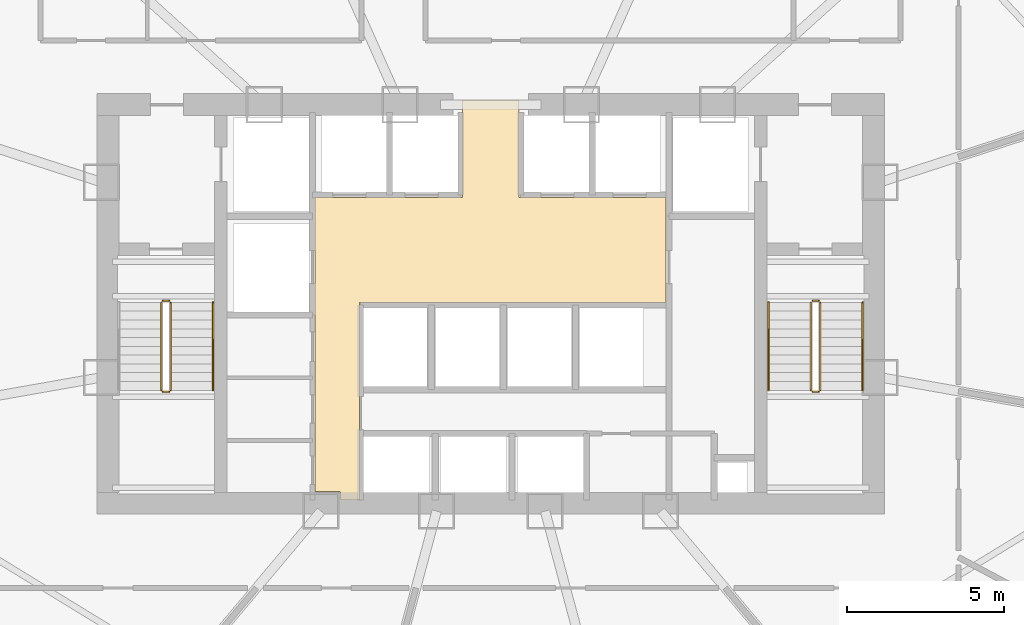
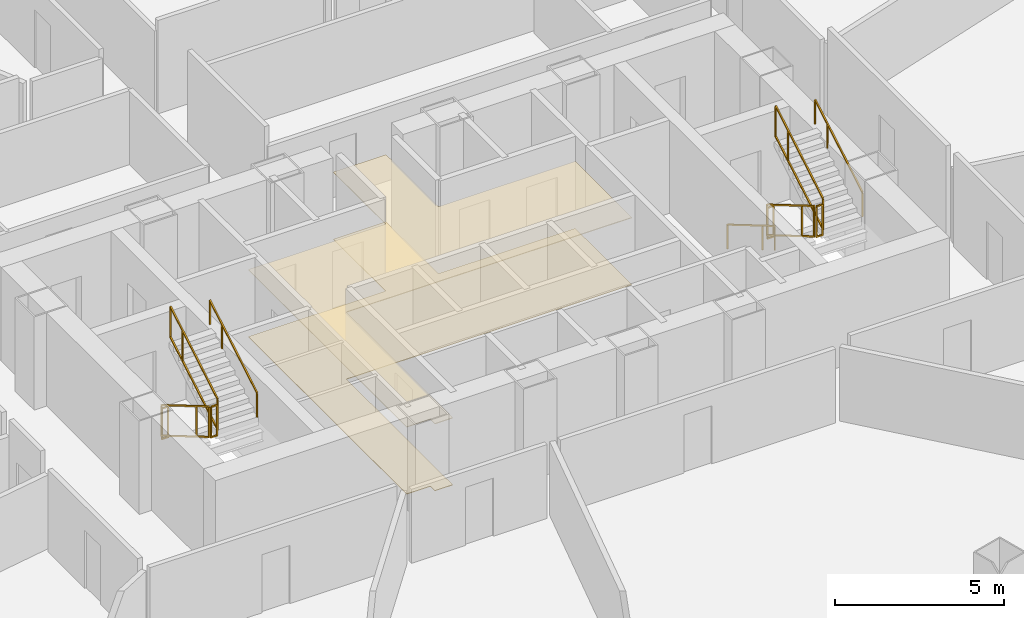
# One storey, part 35 of 37: 11 railings, 2 coverings.
"""IFC4 building model written with IfcOpenShell, lengths in metres."""

from ifc_helpers import new_model, si_unit, direction, frame, origin, origin_2d, place, context, subcontext, project, spatial, polyline, rectangle, outline, extrude, material, layer, layer_set, type_object, element, save


model = new_model("IFC4")

# Units and contexts
model_context = context("Model", 3, precision=1e-05, world=origin(), true_north=direction((0.0, 1.0)))
body_context = subcontext(model_context, "Body", "Model", "MODEL_VIEW")
ifc_project = project(units=[si_unit("LENGTHUNIT", "METRE"), si_unit("AREAUNIT", "SQUARE_METRE"), si_unit("VOLUMEUNIT", "CUBIC_METRE"), si_unit("PLANEANGLEUNIT", "RADIAN"), si_unit("MASSUNIT", "GRAM", prefix="KILO"), si_unit("THERMODYNAMICTEMPERATUREUNIT", "KELVIN"), si_unit("POWERUNIT", "WATT")], contexts=[model_context])

# Site, building, storey
site_placement = place(None, origin())
site = spatial("IfcSite", under=ifc_project, at=site_placement, CompositionType="ELEMENT")
building_placement = place(site_placement, origin())
building = spatial("IfcBuilding", under=site, at=building_placement, Name="Yunzhuo Pagoda Commons", CompositionType="ELEMENT")
storey_placement = place(building_placement, frame((0.0, 0.0, 59.43994140625)))
storey = spatial("IfcBuildingStorey", under=building, at=storey_placement, Name="L15", CompositionType="ELEMENT", Elevation=59.43994140625)

# Coverings
ifc_material_1 = material(Name="Mineral fibre acoustic ceiling board")
ifc_layer_1 = layer(ifc_material_1, 0.02490234375)
ifc_layer_set_1 = layer_set([ifc_layer_1], Name="Mineral fibre acoustic ceiling board")
covering_type_1 = type_object("IfcCoveringType", Name="COV-CL1 Ceiling 25", PredefinedType="CEILING", material=ifc_layer_set_1)
covering_1_placement = place(storey_placement, frame((0.0, 0.0, 2.420166015625)))
element("IfcCovering", 1, at=covering_1_placement, inside=storey, type_object=covering_type_1, Name="L15 lift lobby acoustic ceiling", PredefinedType="CEILING", context=body_context, shape_type="SweptSolid", body=[
    extrude(outline(polyline([(43.207763671875, 27.85009765625), (43.201904296875, 27.864013671875), (43.187744140625, 27.8701171875), (42.39990234375, 27.8701171875), (42.39990234375, 33.89990234375), (42.39990234375, 37.25), (47.10009765625, 37.25), (47.10009765625, 40.35009765625), (48.89990234375, 40.35009765625), (48.89990234375, 37.25), (53.580078125, 37.25), (53.580078125, 33.89990234375), (43.820068359375, 33.89990234375), (43.820068359375, 27.60009765625), (43.207763671875, 27.60009765625), (43.207763671875, 27.85009765625)])), origin(), (0.0, 0.0, 1.0), 0.02490234375),
])
ifc_material_2 = material(Name="Porcelain ceramic floor tile")
ifc_layer_2 = layer(ifc_material_2, 0.02001953125)
ifc_layer_set_2 = layer_set([ifc_layer_2], Name="Porcelain ceramic floor tile")
covering_type_2 = type_object("IfcCoveringType", Name="COV-FL1 Flooring 20", PredefinedType="FLOORING", material=ifc_layer_set_2)
covering_2_placement = place(storey_placement, origin())
element("IfcCovering", 2, at=covering_2_placement, inside=storey, type_object=covering_type_2, Name="L15 lift lobby flooring", PredefinedType="FLOORING", context=body_context, shape_type="SweptSolid", body=[
    extrude(outline(polyline([(43.207763671875, 27.85009765625), (43.201904296875, 27.864013671875), (43.187744140625, 27.8701171875), (42.39990234375, 27.8701171875), (42.39990234375, 33.89990234375), (42.39990234375, 37.25), (47.10009765625, 37.25), (47.10009765625, 40.35009765625), (48.89990234375, 40.35009765625), (48.89990234375, 37.25), (53.580078125, 37.25), (53.580078125, 33.89990234375), (43.820068359375, 33.89990234375), (43.820068359375, 27.60009765625), (43.207763671875, 27.60009765625), (43.207763671875, 27.85009765625)])), origin(), (0.0, 0.0, 1.0), 0.02001953125),
])

# Railings
ifc_material_3 = material(Name="Anodized aluminium 6063-T6", Category="aluminium")
railing_type_1 = type_object("IfcRailingType", Name="GR-ST1 Stair Well Guardrail 1150", PredefinedType="GUARDRAIL", material=ifc_material_3)
railing_1_placement = place(storey_placement, frame((37.5, 33.89990234375, 0.1650390625)))
element("IfcRailing", 3, at=railing_1_placement, inside=storey, type_object=railing_type_1, Name="L15 ST1 stair guard 1", PredefinedType="GUARDRAIL", context=body_context, shape_type="SweptSolid", body=[
    extrude(rectangle(XDim=0.048095703125, YDim=0.048095703125, at=origin_2d()), frame((0.0, 0.0, 1.1259765625), z_axis=(0.0, -0.861536114422, 0.507696290658), x_axis=(1.0, 0.0, 0.0)), (0.0, 0.0, 1.0), 3.249755859375),
    extrude(rectangle(XDim=0.048095703125, YDim=0.048095703125, at=origin_2d()), frame((0.0, 0.0, 0.02392578125), z_axis=(0.0, -0.861536114422, 0.507696290658), x_axis=(1.0, 0.0, 0.0)), (0.0, 0.0, 1.0), 3.249755859375),
    extrude(rectangle(XDim=0.0419921875, YDim=0.0419921875, at=origin_2d()), origin(), (0.0, 0.0, 1.0), 1.101806640625),
    extrude(rectangle(XDim=0.0419921875, YDim=0.0419921875, at=origin_2d()), frame((0.0, -2.067626953125, 1.218505859375)), (0.0, 0.0, 1.0), 1.101806640625),
    extrude(rectangle(XDim=0.0419921875, YDim=0.0419921875, at=origin_2d()), frame((0.0, -2.7998046875, 1.64990234375)), (0.0, 0.0, 1.0), 1.101806640625),
])
railing_2_placement = place(storey_placement, frame((37.550048828125, 31.050048828125, 1.81494140625)))
element("IfcRailing", 4, at=railing_2_placement, inside=storey, type_object=railing_type_1, Name="L15 ST1 stair guard 2", PredefinedType="GUARDRAIL", context=body_context, shape_type="SweptSolid", body=[
    extrude(rectangle(XDim=0.048095703125, YDim=0.048095703125, at=origin_2d()), frame((0.0, 0.0, 1.1259765625), z_axis=(1.0, 0.0, 0.0), x_axis=(0.0, 1.0, 0.0)), (0.0, 0.0, 1.0), 0.199951171875),
    extrude(rectangle(XDim=0.048095703125, YDim=0.048095703125, at=origin_2d()), frame((0.0, 0.0, 0.02392578125), z_axis=(1.0, 0.0, 0.0), x_axis=(0.0, 1.0, 0.0)), (0.0, 0.0, 1.0), 0.199951171875),
    extrude(rectangle(XDim=0.0419921875, YDim=0.0419921875, at=origin_2d()), origin(), (0.0, 0.0, 1.0), 1.101806640625),
    extrude(rectangle(XDim=0.0419921875, YDim=0.0419921875, at=origin_2d()), frame((0.199951171875, 0.0, 0.0)), (0.0, 0.0, 1.0), 1.101806640625),
])
railing_3_placement = place(storey_placement, frame((37.800048828125, 31.10009765625, 1.97998046875)))
element("IfcRailing", 5, at=railing_3_placement, inside=storey, type_object=railing_type_1, Name="L15 ST1 stair guard 3", PredefinedType="GUARDRAIL", context=body_context, shape_type="SweptSolid", body=[
    extrude(rectangle(XDim=0.048095703125, YDim=0.048095703125, at=origin_2d()), frame((0.0, 0.0, 1.1259765625), z_axis=(0.0, 0.861503254194, 0.507752048753), x_axis=(-1.0, 0.0, 0.0)), (0.0, 0.0, 1.0), 3.25),
    extrude(rectangle(XDim=0.048095703125, YDim=0.048095703125, at=origin_2d()), frame((0.0, 0.0, 0.02392578125), z_axis=(0.0, 0.861503254194, 0.507752048753), x_axis=(-1.0, 0.0, 0.0)), (0.0, 0.0, 1.0), 3.25),
    extrude(rectangle(XDim=0.0419921875, YDim=0.0419921875, at=origin_2d()), origin(), (0.0, 0.0, 1.0), 1.101806640625),
    extrude(rectangle(XDim=0.0419921875, YDim=0.0419921875, at=origin_2d()), frame((0.0, 2.067626953125, 1.218505859375)), (0.0, 0.0, 1.0), 1.101806640625),
    extrude(rectangle(XDim=0.0419921875, YDim=0.0419921875, at=origin_2d()), frame((0.0, 2.7998046875, 1.650146484375)), (0.0, 0.0, 1.0), 1.101806640625),
])
railing_4_placement = place(storey_placement, frame((37.550048828125, 33.949951171875, 0.0)))
element("IfcRailing", 6, at=railing_4_placement, inside=storey, type_object=railing_type_1, Name="L15 ST1 stair guard 4", PredefinedType="GUARDRAIL", context=body_context, shape_type="SweptSolid", body=[
    extrude(rectangle(XDim=0.048095703125, YDim=0.048095703125, at=origin_2d()), frame((0.0, 0.0, 1.1259765625), z_axis=(1.0, 0.0, 0.0), x_axis=(0.0, 1.0, 0.0)), (0.0, 0.0, 1.0), 0.199951171875),
    extrude(rectangle(XDim=0.048095703125, YDim=0.048095703125, at=origin_2d()), frame((0.0, 0.0, 0.02392578125), z_axis=(1.0, 0.0, 0.0), x_axis=(0.0, 1.0, 0.0)), (0.0, 0.0, 1.0), 0.199951171875),
    extrude(rectangle(XDim=0.0419921875, YDim=0.0419921875, at=origin_2d()), origin(), (0.0, 0.0, 1.0), 1.101806640625),
    extrude(rectangle(XDim=0.0419921875, YDim=0.0419921875, at=origin_2d()), frame((0.199951171875, 0.0, 0.0)), (0.0, 0.0, 1.0), 1.101806640625),
])
railing_type_2 = type_object("IfcRailingType", Name="GR-ST2 Stair Well Guardrail 1160", PredefinedType="GUARDRAIL", material=ifc_material_3)
railing_5_placement = place(storey_placement, frame((58.199951171875, 33.89990234375, 0.1650390625)))
element("IfcRailing", 7, at=railing_5_placement, inside=storey, type_object=railing_type_2, Name="L15 ST2 stair guard 1", PredefinedType="GUARDRAIL", context=body_context, shape_type="SweptSolid", body=[
    extrude(rectangle(XDim=0.048095703125, YDim=0.048095703125, at=origin_2d()), frame((0.0, 0.0, 1.1259765625), z_axis=(0.0, -0.861536114422, 0.507696290658), x_axis=(1.0, 0.0, 0.0)), (0.0, 0.0, 1.0), 3.249755859375),
    extrude(rectangle(XDim=0.048095703125, YDim=0.048095703125, at=origin_2d()), frame((0.0, 0.0, 0.02392578125), z_axis=(0.0, -0.861536114422, 0.507696290658), x_axis=(1.0, 0.0, 0.0)), (0.0, 0.0, 1.0), 3.249755859375),
    extrude(rectangle(XDim=0.0419921875, YDim=0.0419921875, at=origin_2d()), origin(), (0.0, 0.0, 1.0), 1.101806640625),
    extrude(rectangle(XDim=0.0419921875, YDim=0.0419921875, at=origin_2d()), frame((0.0, -2.067626953125, 1.218505859375)), (0.0, 0.0, 1.0), 1.101806640625),
    extrude(rectangle(XDim=0.0419921875, YDim=0.0419921875, at=origin_2d()), frame((0.0, -2.7998046875, 1.64990234375)), (0.0, 0.0, 1.0), 1.101806640625),
])
railing_6_placement = place(storey_placement, frame((58.25, 31.050048828125, 1.81494140625)))
element("IfcRailing", 8, at=railing_6_placement, inside=storey, type_object=railing_type_2, Name="L15 ST2 stair guard 2", PredefinedType="GUARDRAIL", context=body_context, shape_type="SweptSolid", body=[
    extrude(rectangle(XDim=0.048095703125, YDim=0.048095703125, at=origin_2d()), frame((0.0, 0.0, 1.1259765625), z_axis=(1.0, 0.0, 0.0), x_axis=(0.0, 1.0, 0.0)), (0.0, 0.0, 1.0), 0.199951171875),
    extrude(rectangle(XDim=0.048095703125, YDim=0.048095703125, at=origin_2d()), frame((0.0, 0.0, 0.02392578125), z_axis=(1.0, 0.0, 0.0), x_axis=(0.0, 1.0, 0.0)), (0.0, 0.0, 1.0), 0.199951171875),
    extrude(rectangle(XDim=0.0419921875, YDim=0.0419921875, at=origin_2d()), origin(), (0.0, 0.0, 1.0), 1.101806640625),
    extrude(rectangle(XDim=0.0419921875, YDim=0.0419921875, at=origin_2d()), frame((0.199951171875, 0.0, 0.0)), (0.0, 0.0, 1.0), 1.101806640625),
])
railing_7_placement = place(storey_placement, frame((58.5, 31.10009765625, 1.97998046875)))
element("IfcRailing", 9, at=railing_7_placement, inside=storey, type_object=railing_type_2, Name="L15 ST2 stair guard 3", PredefinedType="GUARDRAIL", context=body_context, shape_type="SweptSolid", body=[
    extrude(rectangle(XDim=0.048095703125, YDim=0.048095703125, at=origin_2d()), frame((0.0, 0.0, 1.1259765625), z_axis=(0.0, 0.861503254194, 0.507752048753), x_axis=(-1.0, 0.0, 0.0)), (0.0, 0.0, 1.0), 3.25),
    extrude(rectangle(XDim=0.048095703125, YDim=0.048095703125, at=origin_2d()), frame((0.0, 0.0, 0.02392578125), z_axis=(0.0, 0.861503254194, 0.507752048753), x_axis=(-1.0, 0.0, 0.0)), (0.0, 0.0, 1.0), 3.25),
    extrude(rectangle(XDim=0.0419921875, YDim=0.0419921875, at=origin_2d()), origin(), (0.0, 0.0, 1.0), 1.101806640625),
    extrude(rectangle(XDim=0.0419921875, YDim=0.0419921875, at=origin_2d()), frame((0.0, 2.067626953125, 1.218505859375)), (0.0, 0.0, 1.0), 1.101806640625),
    extrude(rectangle(XDim=0.0419921875, YDim=0.0419921875, at=origin_2d()), frame((0.0, 2.7998046875, 1.650146484375)), (0.0, 0.0, 1.0), 1.101806640625),
])
railing_8_placement = place(storey_placement, frame((58.25, 33.949951171875, 0.0)))
element("IfcRailing", 10, at=railing_8_placement, inside=storey, type_object=railing_type_2, Name="L15 ST2 stair guard 4", PredefinedType="GUARDRAIL", context=body_context, shape_type="SweptSolid", body=[
    extrude(rectangle(XDim=0.048095703125, YDim=0.048095703125, at=origin_2d()), frame((0.0, 0.0, 1.1259765625), z_axis=(1.0, 0.0, 0.0), x_axis=(0.0, 1.0, 0.0)), (0.0, 0.0, 1.0), 0.199951171875),
    extrude(rectangle(XDim=0.048095703125, YDim=0.048095703125, at=origin_2d()), frame((0.0, 0.0, 0.02392578125), z_axis=(1.0, 0.0, 0.0), x_axis=(0.0, 1.0, 0.0)), (0.0, 0.0, 1.0), 0.199951171875),
    extrude(rectangle(XDim=0.0419921875, YDim=0.0419921875, at=origin_2d()), origin(), (0.0, 0.0, 1.0), 1.101806640625),
    extrude(rectangle(XDim=0.0419921875, YDim=0.0419921875, at=origin_2d()), frame((0.199951171875, 0.0, 0.0)), (0.0, 0.0, 1.0), 1.101806640625),
])
railing_type_3 = type_object("IfcRailingType", Name="HR-ST1 Stair Handrail 900", PredefinedType="HANDRAIL", material=ifc_material_3)
railing_9_placement = place(storey_placement, frame((39.14990234375, 31.10009765625, 1.97998046875)))
element("IfcRailing", 11, at=railing_9_placement, inside=storey, type_object=railing_type_3, Name="L15 ST1 stair handrail 2", PredefinedType="HANDRAIL", context=body_context, shape_type="SweptSolid", body=[
    extrude(rectangle(XDim=0.048095703125, YDim=0.048095703125, at=origin_2d()), frame((0.0, 0.0, 0.8759765625), z_axis=(0.0, 0.861503254194, 0.507752048753), x_axis=(-1.0, 0.0, 0.0)), (0.0, 0.0, 1.0), 3.25),
    extrude(rectangle(XDim=0.0419921875, YDim=0.0419921875, at=origin_2d()), origin(), (0.0, 0.0, 1.0), 0.851806640625),
    extrude(rectangle(XDim=0.0419921875, YDim=0.0419921875, at=origin_2d()), frame((0.0, 2.067626953125, 1.218505859375)), (0.0, 0.0, 1.0), 0.851806640625),
    extrude(rectangle(XDim=0.0419921875, YDim=0.0419921875, at=origin_2d()), frame((0.0, 2.7998046875, 1.650146484375)), (0.0, 0.0, 1.0), 0.851806640625),
])
railing_type_4 = type_object("IfcRailingType", Name="HR-ST2 Stair Handrail 900", PredefinedType="HANDRAIL", material=ifc_material_3)
railing_10_placement = place(storey_placement, frame((56.85009765625, 33.89990234375, 0.1650390625)))
element("IfcRailing", 12, at=railing_10_placement, inside=storey, type_object=railing_type_4, Name="L15 ST2 stair handrail 1", PredefinedType="HANDRAIL", context=body_context, shape_type="SweptSolid", body=[
    extrude(rectangle(XDim=0.048095703125, YDim=0.048095703125, at=origin_2d()), frame((0.0, 0.0, 0.8759765625), z_axis=(0.0, -0.861536114422, 0.507696290658), x_axis=(1.0, 0.0, 0.0)), (0.0, 0.0, 1.0), 3.249755859375),
    extrude(rectangle(XDim=0.0419921875, YDim=0.0419921875, at=origin_2d()), origin(), (0.0, 0.0, 1.0), 0.851806640625),
    extrude(rectangle(XDim=0.0419921875, YDim=0.0419921875, at=origin_2d()), frame((0.0, -2.067626953125, 1.218505859375)), (0.0, 0.0, 1.0), 0.851806640625),
    extrude(rectangle(XDim=0.0419921875, YDim=0.0419921875, at=origin_2d()), frame((0.0, -2.7998046875, 1.64990234375)), (0.0, 0.0, 1.0), 0.851806640625),
])
railing_11_placement = place(storey_placement, frame((59.85009765625, 31.10009765625, 1.97998046875)))
element("IfcRailing", 13, at=railing_11_placement, inside=storey, type_object=railing_type_4, Name="L15 ST2 stair handrail 2", PredefinedType="HANDRAIL", context=body_context, shape_type="SweptSolid", body=[
    extrude(rectangle(XDim=0.048095703125, YDim=0.048095703125, at=origin_2d()), frame((0.0, 0.0, 0.8759765625), z_axis=(0.0, 0.861503254194, 0.507752048753), x_axis=(-1.0, 0.0, 0.0)), (0.0, 0.0, 1.0), 3.25),
    extrude(rectangle(XDim=0.0419921875, YDim=0.0419921875, at=origin_2d()), origin(), (0.0, 0.0, 1.0), 0.851806640625),
    extrude(rectangle(XDim=0.0419921875, YDim=0.0419921875, at=origin_2d()), frame((0.0, 2.067626953125, 1.218505859375)), (0.0, 0.0, 1.0), 0.851806640625),
    extrude(rectangle(XDim=0.0419921875, YDim=0.0419921875, at=origin_2d()), frame((0.0, 2.7998046875, 1.650146484375)), (0.0, 0.0, 1.0), 0.851806640625),
])

save(model, "model.ifc")
